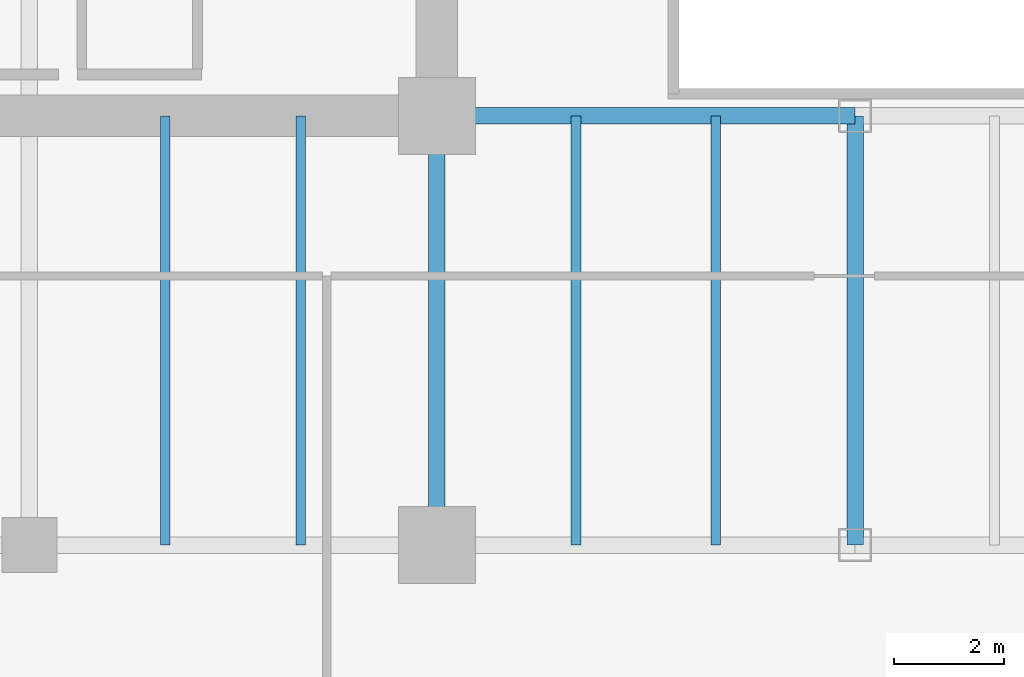
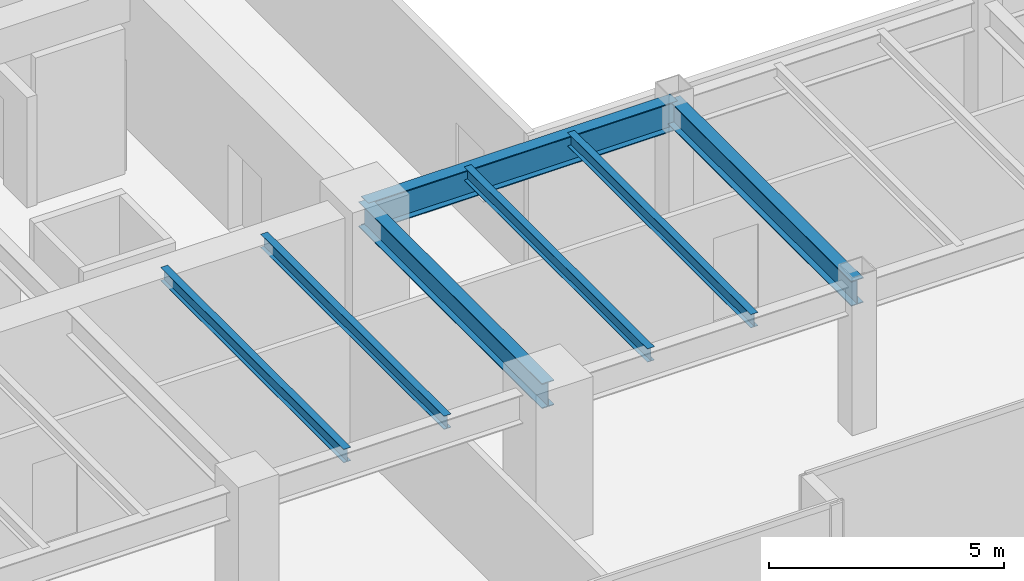
# One storey, part 5 of 35: 7 beams.
"""IFC4 building model written with IfcOpenShell, lengths in metres."""

from ifc_helpers import new_model, si_unit, direction, frame, origin, origin_2d, place, context, subcontext, project, spatial, i_section, extrude, source, transform, mapped, material, material_profile, profile_set, type_object, type_shapes, element, save


model = new_model("IFC4")

# Units and contexts
model_context = context("Model", 3, precision=1e-05, world=origin(), true_north=direction((0.0, 1.0)))
body_context = subcontext(model_context, "Body", "Model", "MODEL_VIEW")
ifc_project = project(units=[si_unit("LENGTHUNIT", "METRE"), si_unit("AREAUNIT", "SQUARE_METRE"), si_unit("VOLUMEUNIT", "CUBIC_METRE"), si_unit("PLANEANGLEUNIT", "RADIAN"), si_unit("MASSUNIT", "GRAM", prefix="KILO")], contexts=[model_context])

# Site, building, storey
site_placement = place(None, origin())
site = spatial("IfcSite", under=ifc_project, at=site_placement, CompositionType="ELEMENT")
building_placement = place(site_placement, origin())
building = spatial("IfcBuilding", under=site, at=building_placement, Name="Haelvirn Gate Laboratories", CompositionType="ELEMENT")
storey_placement = place(building_placement, frame((0.0, 0.0, 70.300048828125)))
storey = spatial("IfcBuildingStorey", under=building, at=storey_placement, Name="L17", CompositionType="ELEMENT", Elevation=70.300048828125)

# Beams
ifc_material = material(Name="Steel SM355", Category="steel")
ifc_material_profile_1 = material_profile(ifc_material, i_section(OverallWidth=0.300048828125, OverallDepth=0.75, WebThickness=0.013916015625, FlangeThickness=0.02392578125, at=origin_2d()), Name="H-750x300x14x24")
ifc_profile_set_1 = profile_set([ifc_material_profile_1], Name="Steel SM355")
beam_type_1 = type_object("IfcBeamType", Name="BM-G-750", PredefinedType="BEAM", material=ifc_profile_set_1)
shared_shape_1 = source(origin(), body_context, "Body", "SweptSolid", [
    extrude(i_section(OverallWidth=0.300048828125, OverallDepth=0.75, WebThickness=0.013916015625, FlangeThickness=0.02392578125, at=origin_2d()), origin(), (0.0, 0.0, 1.0), 7.60009765625),
])
type_shapes(beam_type_1, [shared_shape_1])
beam_placement = place(storey_placement, frame((22.199951171875, 14.800048828125, 3.405029296875), z_axis=(1.0, 0.0, 0.0), x_axis=(0.0, 1.0, 0.0)))
element("IfcBeam", 1, at=beam_placement, inside=storey, type_object=beam_type_1, Name="L17 Primary Girder Y14.8 (22.2-29.8)", PredefinedType="BEAM", context=body_context, shape_type="MappedRepresentation", body=[
    mapped(shared_shape_1, transform((0.0, 0.0, 0.0), scale=1.0)),
])
ifc_material_profile_2 = material_profile(ifc_material, i_section(OverallWidth=0.175048828125, OverallDepth=0.35009765625, WebThickness=0.007080078125, FlangeThickness=0.010986328125, at=origin_2d()), Name="H-350x175x7x11")
ifc_profile_set_2 = profile_set([ifc_material_profile_2], Name="Steel SM355")
beam_type_2 = type_object("IfcBeamType", Name="BM-J-350", PredefinedType="JOIST", material=ifc_profile_set_2)
shared_shape_2 = source(origin(), body_context, "Body", "SweptSolid", [
    extrude(i_section(OverallWidth=0.175048828125, OverallDepth=0.35009765625, WebThickness=0.007080078125, FlangeThickness=0.010986328125, at=origin_2d()), origin(), (0.0, 0.0, 1.0), 7.800048828125),
])
type_shapes(beam_type_2, [shared_shape_2])
for number, where, z_axis, x_axis, name in (
    (2, (17.27001953125, 7.0, 3.60498046875), (0.0, 1.0, 0.0), (-1.0, 0.0, 0.0), "L17 Composite Lab Joist South X17.27"),
    (3, (19.72998046875, 7.0, 3.60498046875), (0.0, 1.0, 0.0), (-1.0, 0.0, 0.0), "L17 Composite Lab Joist South X19.73"),
    (4, (24.72998046875, 7.0, 3.60498046875), (0.0, 1.0, 0.0), (-1.0, 0.0, 0.0), "L17 Composite Lab Joist South X24.73"),
    (5, (27.27001953125, 7.0, 3.60498046875), (0.0, 1.0, 0.0), (-1.0, 0.0, 0.0), "L17 Composite Lab Joist South X27.27"),
):
    element("IfcBeam", number, at=place(storey_placement, frame(where, z_axis=z_axis, x_axis=x_axis)), inside=storey, type_object=beam_type_2, Name=name, PredefinedType="JOIST", context=body_context, shape_type="MappedRepresentation", body=[
        mapped(shared_shape_2, transform((0.0, 0.0, 0.0), scale=1.0)),
    ])
ifc_material_profile_3 = material_profile(ifc_material, i_section(OverallWidth=0.300048828125, OverallDepth=0.64990234375, WebThickness=0.012939453125, FlangeThickness=0.02197265625, at=origin_2d()), Name="H-650x300x13x22")
ifc_profile_set_3 = profile_set([ifc_material_profile_3], Name="Steel SM355")
beam_type_3 = type_object("IfcBeamType", Name="BM-G-650", PredefinedType="BEAM", material=ifc_profile_set_3)
shared_shape_3 = source(origin(), body_context, "Body", "SweptSolid", [
    extrude(i_section(OverallWidth=0.300048828125, OverallDepth=0.64990234375, WebThickness=0.012939453125, FlangeThickness=0.02197265625, at=origin_2d()), origin(), (0.0, 0.0, 1.0), 7.800048828125),
])
type_shapes(beam_type_3, [shared_shape_3])
for number, where, z_axis, x_axis, name in (
    (6, (22.199951171875, 7.0, 3.454833984375), (0.0, 1.0, 0.0), (-1.0, 0.0, 0.0), "L17 Frame Girder X22.2 (7.0-14.8)"),
    (7, (29.800048828125, 7.0, 3.454833984375), (0.0, 1.0, 0.0), (-1.0, 0.0, 0.0), "L17 Frame Girder X29.8 (7.0-14.8)"),
):
    element("IfcBeam", number, at=place(storey_placement, frame(where, z_axis=z_axis, x_axis=x_axis)), inside=storey, type_object=beam_type_3, Name=name, PredefinedType="BEAM", context=body_context, shape_type="MappedRepresentation", body=[
        mapped(shared_shape_3, transform((0.0, 0.0, 0.0), scale=1.0)),
    ])

save(model, "model.ifc")
